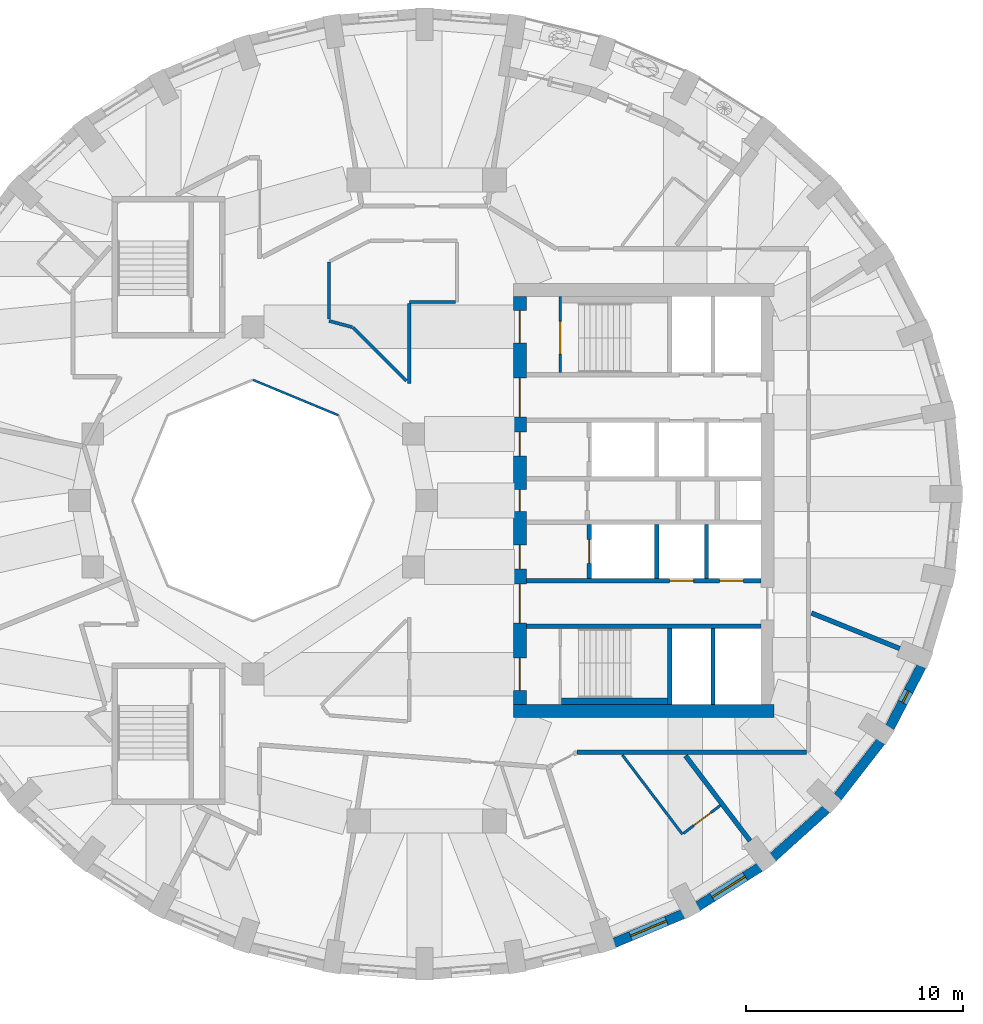
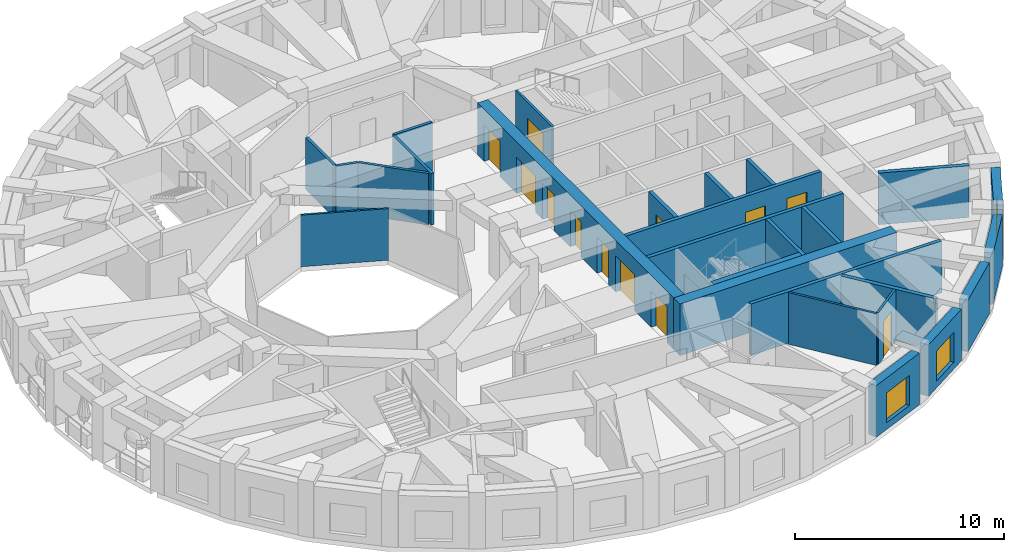
# One storey, part 5 of 12: 27 walls, 12 doors, 3 windows, 15 openings.
"""IFC4 building model written with IfcOpenShell, lengths in metres."""

from ifc_helpers import new_model, si_unit, direction, frame, frame_2d, origin, place, context, subcontext, project, spatial, rectangle, extrude, material, layer, layer_set, type_object, element, fill, save


model = new_model("IFC4")

# Units and contexts
model_context = context("Model", 3, precision=1e-05, world=origin(), true_north=direction((0.0, 1.0)))
body_context = subcontext(model_context, "Body", "Model", "MODEL_VIEW")
ifc_project = project(units=[si_unit("LENGTHUNIT", "METRE"), si_unit("AREAUNIT", "SQUARE_METRE"), si_unit("VOLUMEUNIT", "CUBIC_METRE"), si_unit("PLANEANGLEUNIT", "RADIAN"), si_unit("MASSUNIT", "GRAM", prefix="KILO")], contexts=[model_context])

# Site, building, storey
site_placement = place(None, origin())
site = spatial("IfcSite", under=ifc_project, at=site_placement, CompositionType="ELEMENT")
building_placement = place(site_placement, origin())
building = spatial("IfcBuilding", under=site, at=building_placement, Name="Taillehof Tower", CompositionType="ELEMENT")
storey_placement = place(building_placement, frame((0.0, 0.0, 233.300048828125)))
storey = spatial("IfcBuildingStorey", under=building, at=storey_placement, Name="L66", CompositionType="ELEMENT", Elevation=233.300048828125)

# Wall
ifc_material_1 = material(Name="Fire-resisting glass in steel frame", Category="steel")
ifc_layer_1 = layer(ifc_material_1, 0.10009765625)
ifc_layer_set_1 = layer_set([ifc_layer_1], Name="Atrium fire-resisting screen EI 60 100")
wall_type_1 = type_object("IfcWallType", Name="Atrium fire-resisting screen EI 60 100", PredefinedType="PARTITIONING", material=ifc_layer_set_1)
wall_1_placement = place(storey_placement, frame((-8.0, 5.55419921875, 0.0), z_axis=(0.0, 0.0, 1.0), x_axis=(0.923860025149, -0.382730523909, 0.0)))
element("IfcWall", 1, at=wall_1_placement, inside=storey, type_object=wall_type_1, Name="Atrium screen", PredefinedType="PARTITIONING", context=body_context, shape_type="SweptSolid", body=[
    extrude(rectangle(XDim=4.2509765625, YDim=0.10009765625, at=frame_2d((2.12548828125, 0.0))), origin(), (0.0, 0.0, 1.0), 3.02001953125),
])

# Wall, opening, window
ifc_material_2 = material(Name="Brick masonry", Category="masonry")
ifc_layer_2 = layer(ifc_material_2, 0.449951171875)
ifc_layer_set_2 = layer_set([ifc_layer_2], Name="Brick infill wall 450")
wall_type_2 = type_object("IfcWallType", Name="Brick infill wall 450", PredefinedType="SOLIDWALL", material=ifc_layer_set_2)
wall_2_placement = place(storey_placement, frame((8.640869140625, -20.394775390625, 0.0), z_axis=(0.0, 0.0, 1.0), x_axis=(0.922049934692, 0.3870709469, 0.0)))
wall_2 = element("IfcWall", 2, at=wall_2_placement, inside=storey, type_object=wall_type_2, Name="Brick wall L66 bay 30", PredefinedType="SOLIDWALL", context=body_context, shape_type="SweptSolid", body=[
    extrude(rectangle(XDim=3.443115234375, YDim=0.449951171875, at=frame_2d((1.7216796875, 0.0))), origin(), (0.0, 0.0, 1.0), 3.02001953125),
])
opening_1_placement = place(wall_2_placement, frame((0.82177734375, 0.0, 0.39990234375)))
opening_1 = element("IfcOpeningElement", 3, at=opening_1_placement, cuts=wall_2, Name="Opening W4", PredefinedType="OPENING", context=body_context, shape_type="SweptSolid", body=[
    extrude(rectangle(XDim=1.800048828125, YDim=1.75, at=frame_2d((0.89990234375, 0.875))), frame((0.0, 0.23486328125, 0.0), z_axis=(0.0, -1.0, 0.0), x_axis=(1.0, 0.0, 0.0)), (0.0, 0.0, 1.0), 0.469970703125),
])
ifc_material_3 = material(Name="Aluminium window frame with clear double glazing", Category="aluminium")
window_type_1 = type_object("IfcWindowType", Name="Deep-set window 1800x1750", PartitioningType="SINGLE_PANEL", PredefinedType="WINDOW", material=ifc_material_3)
window_1_placement = place(opening_1_placement, origin())
window_1 = element("IfcWindow", 4, at=window_1_placement, inside=storey, type_object=window_type_1, Name="W4", OverallHeight=1.75, OverallWidth=1.800048828125, PartitioningType="SINGLE_PANEL", PredefinedType="WINDOW", context=body_context, shape_type="SweptSolid", body=[
    extrude(rectangle(XDim=1.800048828125, YDim=1.75, at=frame_2d((0.89990234375, 0.875))), frame((0.0, 0.034912109375, 0.0), z_axis=(0.0, -1.0, 0.0), x_axis=(1.0, 0.0, 0.0)), (0.0, 0.0, 1.0), 0.06005859375),
])
fill(opening_1, window_1)

wall_3_placement = place(storey_placement, frame((12.489990234375, -18.7109375, 0.0), z_axis=(0.0, 0.0, 1.0), x_axis=(0.845929139811, 0.53329531258, 0.0)))
wall_3 = element("IfcWall", 5, at=wall_3_placement, inside=storey, type_object=wall_type_2, Name="Brick wall L66 bay 31", PredefinedType="SOLIDWALL", context=body_context, shape_type="SweptSolid", body=[
    extrude(rectangle(XDim=3.384521484375, YDim=0.449951171875, at=frame_2d((1.6923828125, 0.0))), origin(), (0.0, 0.0, 1.0), 3.02001953125),
])
opening_2_placement = place(wall_3_placement, frame((0.792236328125, 0.0, 0.39990234375)))
opening_2 = element("IfcOpeningElement", 6, at=opening_2_placement, cuts=wall_3, Name="Opening W4", PredefinedType="OPENING", context=body_context, shape_type="SweptSolid", body=[
    extrude(rectangle(XDim=1.800048828125, YDim=1.75, at=frame_2d((0.89990234375, 0.875))), frame((0.0, 0.23486328125, 0.0), z_axis=(0.0, -1.0, 0.0), x_axis=(1.0, 0.0, 0.0)), (0.0, 0.0, 1.0), 0.469970703125),
])
window_2_placement = place(opening_2_placement, origin())
window_2 = element("IfcWindow", 7, at=window_2_placement, inside=storey, type_object=window_type_1, Name="W4", OverallHeight=1.75, OverallWidth=1.800048828125, PartitioningType="SINGLE_PANEL", PredefinedType="WINDOW", context=body_context, shape_type="SweptSolid", body=[
    extrude(rectangle(XDim=1.800048828125, YDim=1.75, at=frame_2d((0.89990234375, 0.875))), frame((0.0, 0.034912109375, 0.0), z_axis=(0.0, -1.0, 0.0), x_axis=(1.0, 0.0, 0.0)), (0.0, 0.0, 1.0), 0.06005859375),
])
fill(opening_2, window_2)

# Walls
wall_4_placement = place(storey_placement, frame((15.959228515625, -16.447509765625, 0.0), z_axis=(0.0, 0.0, 1.0), x_axis=(0.743166014219, 0.669107073128, 0.0)))
element("IfcWall", 8, at=wall_4_placement, inside=storey, type_object=wall_type_2, Name="Brick wall L66 bay 32", PredefinedType="SOLIDWALL", context=body_context, shape_type="SweptSolid", body=[
    extrude(rectangle(XDim=3.31640625, YDim=0.449951171875, at=frame_2d((1.658203125, 0.0))), origin(), (0.0, 0.0, 1.0), 3.02001953125),
])
wall_5_placement = place(storey_placement, frame((18.941650390625, -13.671875, 0.0), z_axis=(0.0, 0.0, 1.0), x_axis=(0.613898970825, 0.789384604372, 0.0)))
element("IfcWall", 9, at=wall_5_placement, inside=storey, type_object=wall_type_2, Name="Brick wall L66 bay 33", PredefinedType="SOLIDWALL", context=body_context, shape_type="SweptSolid", body=[
    extrude(rectangle(XDim=3.2470703125, YDim=0.449951171875, at=frame_2d((1.62353515625, 0.0))), origin(), (0.0, 0.0, 1.0), 3.02001953125),
])

# Wall, opening, window
wall_6_placement = place(storey_placement, frame((21.344970703125, -10.46826171875, 0.0), z_axis=(0.0, 0.0, 1.0), x_axis=(0.459921155255, 0.887959757505, 0.0)))
wall_6 = element("IfcWall", 10, at=wall_6_placement, inside=storey, type_object=wall_type_2, Name="Brick wall L66 bay 34", PredefinedType="SOLIDWALL", context=body_context, shape_type="SweptSolid", body=[
    extrude(rectangle(XDim=3.185546875, YDim=0.449951171875, at=frame_2d((1.5927734375, 0.0))), origin(), (0.0, 0.0, 1.0), 3.02001953125),
])
opening_3_placement = place(wall_6_placement, frame((1.292724609375, 0.0, 0.39990234375)))
opening_3 = element("IfcOpeningElement", 11, at=opening_3_placement, cuts=wall_6, Name="Opening W6", PredefinedType="OPENING", context=body_context, shape_type="SweptSolid", body=[
    extrude(rectangle(XDim=0.60009765625, YDim=1.75, at=frame_2d((0.300048828125, 0.875))), frame((0.0, 0.23486328125, 0.0), z_axis=(0.0, -1.0, 0.0), x_axis=(1.0, 0.0, 0.0)), (0.0, 0.0, 1.0), 0.469970703125),
])
ifc_material_4 = material(Name="Aluminium window frame with clear double glazing", Category="aluminium")
window_type_2 = type_object("IfcWindowType", Name="Slot window 600x1750", PartitioningType="SINGLE_PANEL", PredefinedType="WINDOW", material=ifc_material_4)
window_3_placement = place(opening_3_placement, origin())
window_3 = element("IfcWindow", 12, at=window_3_placement, inside=storey, type_object=window_type_2, Name="W6", OverallHeight=1.75, OverallWidth=0.60009765625, PartitioningType="SINGLE_PANEL", PredefinedType="WINDOW", context=body_context, shape_type="SweptSolid", body=[
    extrude(rectangle(XDim=0.60009765625, YDim=1.75, at=frame_2d((0.300048828125, 0.875))), frame((0.0, 0.034912109375, 0.0), z_axis=(0.0, -1.0, 0.0), x_axis=(1.0, 0.0, 0.0)), (0.0, 0.0, 1.0), 0.06005859375),
])
fill(opening_3, window_3)

# Walls
ifc_material_5 = material(Name="Gypsum board on steel studs, two layers each side", Category="steel")
ifc_layer_3 = layer(ifc_material_5, 0.199951171875)
ifc_layer_set_3 = layer_set([ifc_layer_3], Name="Compartment wall corridor 200")
wall_type_3 = type_object("IfcWallType", Name="Compartment wall corridor 200", PredefinedType="PARTITIONING", material=ifc_layer_set_3)
wall_7_placement = place(storey_placement, frame((17.5, -11.60009765625, 0.0), z_axis=(0.0, 0.0, 1.0), x_axis=(-1.0, 0.0, 0.0)))
element("IfcWall", 13, at=wall_7_placement, inside=storey, type_object=wall_type_3, Name="Compartment wall", PredefinedType="PARTITIONING", context=body_context, shape_type="SweptSolid", body=[
    extrude(rectangle(XDim=10.561767578125, YDim=0.199951171875, at=frame_2d((5.28076171875, 0.0))), origin(), (0.0, 0.0, 1.0), 3.02001953125),
])
ifc_material_6 = material(Name="Gypsum board on double steel studs with mineral wool", Category="steel")
ifc_layer_4 = layer(ifc_material_6, 0.219970703125)
ifc_layer_set_4 = layer_set([ifc_layer_4], Name="Compartment wall guest room 220")
wall_type_4 = type_object("IfcWallType", Name="Compartment wall guest room 220", PredefinedType="PARTITIONING", material=ifc_layer_set_4)
wall_8_placement = place(storey_placement, frame((14.906005859375, -15.687255859375, 0.0), z_axis=(0.0, 0.0, 1.0), x_axis=(-0.604078206052, 0.796925041, 0.0)))
element("IfcWall", 14, at=wall_8_placement, inside=storey, type_object=wall_type_4, Name="Compartment wall", PredefinedType="PARTITIONING", context=body_context, shape_type="SweptSolid", body=[
    extrude(rectangle(XDim=4.92333984375, YDim=0.219970703125, at=frame_2d((2.461669921875, 0.0))), origin(), (0.0, 0.0, 1.0), 3.02001953125),
])
wall_9_placement = place(storey_placement, frame((21.803955078125, -6.824462890625, 0.0), z_axis=(0.0, 0.0, 1.0), x_axis=(-0.927528978592, 0.373751245981, 0.0)))
element("IfcWall", 15, at=wall_9_placement, inside=storey, type_object=wall_type_4, Name="Compartment wall", PredefinedType="PARTITIONING", context=body_context, shape_type="SweptSolid", body=[
    extrude(rectangle(XDim=4.38427734375, YDim=0.219970703125, at=frame_2d((2.192138671875, 0.0))), origin(), (0.0, 0.0, 1.0), 3.02001953125),
])
ifc_material_7 = material(Name="Calcium silicate masonry", Category="masonry")
ifc_layer_5 = layer(ifc_material_7, 0.300048828125)
ifc_layer_set_5 = layer_set([ifc_layer_5], Name="Compartment wall lining calcium silicate 300")
wall_type_5 = type_object("IfcWallType", Name="Compartment wall lining calcium silicate 300", PredefinedType="PARTITIONING", material=ifc_layer_set_5)
wall_10_placement = place(storey_placement, frame((6.219970703125, -9.25, 0.0), z_axis=(0.0, 0.0, 1.0), x_axis=(1.0, 0.0, 0.0)))
element("IfcWall", 16, at=wall_10_placement, inside=storey, type_object=wall_type_5, Name="Compartment wall FW", PredefinedType="PARTITIONING", context=body_context, shape_type="SweptSolid", body=[
    extrude(rectangle(XDim=4.880126953125, YDim=0.300048828125, at=frame_2d((2.43994140625, 0.0))), origin(), (0.0, 0.0, 1.0), 3.02001953125),
])
ifc_material_8 = material(Name="Gypsum board on steel studs, two layers each side", Category="steel")
ifc_layer_6 = layer(ifc_material_8, 0.14990234375)
ifc_layer_set_6 = layer_set([ifc_layer_6], Name="Compartment wall service room 150")
wall_type_6 = type_object("IfcWallType", Name="Compartment wall service room 150", PredefinedType="PARTITIONING", material=ifc_layer_set_6)
wall_11_placement = place(storey_placement, frame((1.31982421875, 9.14990234375, 0.0), z_axis=(0.0, 0.0, 1.0), x_axis=(-1.0, 0.0, 0.0)))
element("IfcWall", 17, at=wall_11_placement, inside=storey, type_object=wall_type_6, Name="Compartment wall", PredefinedType="PARTITIONING", context=body_context, shape_type="SweptSolid", body=[
    extrude(rectangle(XDim=2.119873046875, YDim=0.14990234375, at=frame_2d((1.06005859375, 0.0))), origin(), (0.0, 0.0, 1.0), 3.02001953125),
])
wall_12_placement = place(storey_placement, frame((-0.800048828125, 9.06982421875, 0.0), z_axis=(0.0, 0.0, 1.0), x_axis=(0.0, -1.0, 0.0)))
element("IfcWall", 18, at=wall_12_placement, inside=storey, type_object=wall_type_6, Name="Compartment wall", PredefinedType="PARTITIONING", context=body_context, shape_type="SweptSolid", body=[
    extrude(rectangle(XDim=3.683349609375, YDim=0.14990234375, at=frame_2d((1.841796875, 0.0))), origin(), (0.0, 0.0, 1.0), 3.02001953125),
])
wall_13_placement = place(storey_placement, frame((-0.927490234375, 5.513916015625, 0.0), z_axis=(0.0, 0.0, 1.0), x_axis=(-0.707106781187, 0.707106781187, 0.0)))
element("IfcWall", 19, at=wall_13_placement, inside=storey, type_object=wall_type_6, Name="Compartment wall", PredefinedType="PARTITIONING", context=body_context, shape_type="SweptSolid", body=[
    extrude(rectangle(XDim=3.48681640625, YDim=0.14990234375, at=frame_2d((1.743408203125, 0.0))), origin(), (0.0, 0.0, 1.0), 3.02001953125),
])
wall_14_placement = place(storey_placement, frame((-3.431640625, 7.98974609375, 0.0), z_axis=(0.0, 0.0, 1.0), x_axis=(-0.965900750832, 0.258912609855, 0.0)))
element("IfcWall", 20, at=wall_14_placement, inside=storey, type_object=wall_type_6, Name="Compartment wall", PredefinedType="PARTITIONING", context=body_context, shape_type="SweptSolid", body=[
    extrude(rectangle(XDim=1.10595703125, YDim=0.14990234375, at=frame_2d((0.552978515625, 0.0))), origin(), (0.0, 0.0, 1.0), 3.02001953125),
])
wall_15_placement = place(storey_placement, frame((-4.5, 8.356201171875, 0.0), z_axis=(0.0, 0.0, 1.0), x_axis=(0.0, 1.0, 0.0)))
element("IfcWall", 21, at=wall_15_placement, inside=storey, type_object=wall_type_6, Name="Compartment wall", PredefinedType="PARTITIONING", context=body_context, shape_type="SweptSolid", body=[
    extrude(rectangle(XDim=2.645263671875, YDim=0.14990234375, at=frame_2d((1.32275390625, 0.0))), origin(), (0.0, 0.0, 1.0), 3.02001953125),
])

# Wall, openings, doors
ifc_material_9 = material(Name="Concrete C80/95", Category="concrete")
ifc_layer_7 = layer(ifc_material_9, 0.60009765625)
ifc_layer_set_7 = layer_set([ifc_layer_7], Name="Core wall C80/95 600")
wall_type_7 = type_object("IfcWallType", Name="Core wall C80/95 600", PredefinedType="SHEAR", material=ifc_layer_set_7)
wall_16_placement = place(storey_placement, frame((4.300048828125, -9.39990234375, 0.0), z_axis=(0.0, 0.0, 1.0), x_axis=(0.0, 1.0, 0.0)))
wall_16 = element("IfcWall", 22, at=wall_16_placement, inside=storey, type_object=wall_type_7, Name="Core wall CW01", PredefinedType="SHEAR", context=body_context, shape_type="SweptSolid", body=[
    extrude(rectangle(XDim=18.7998046875, YDim=0.60009765625, at=frame_2d((9.39990234375, 0.0))), origin(), (0.0, 0.0, 1.0), 3.02001953125),
])
opening_4_placement = place(wall_16_placement, frame((0.64990234375, 0.0, 0.0)))
opening_4 = element("IfcOpeningElement", 23, at=opening_4_placement, cuts=wall_16, Name="Opening D6601", PredefinedType="OPENING", context=body_context, shape_type="SweptSolid", body=[
    extrude(rectangle(XDim=1.5, YDim=2.10009765625, at=frame_2d((0.75, 1.050048828125))), frame((0.0, 0.31005859375, 0.0), z_axis=(0.0, -1.0, 0.0), x_axis=(1.0, 0.0, 0.0)), (0.0, 0.0, 1.0), 0.6201171875),
])
opening_5_placement = place(wall_16_placement, frame((3.75, 0.0, 0.0)))
opening_5 = element("IfcOpeningElement", 24, at=opening_5_placement, cuts=wall_16, Name="Opening D6602", PredefinedType="OPENING", context=body_context, shape_type="SweptSolid", body=[
    extrude(rectangle(XDim=1.800048828125, YDim=2.10009765625, at=frame_2d((0.89990234375, 1.050048828125))), frame((0.0, 0.31005859375, 0.0), z_axis=(0.0, -1.0, 0.0), x_axis=(1.0, 0.0, 0.0)), (0.0, 0.0, 1.0), 0.6201171875),
])
opening_6_placement = place(wall_16_placement, frame((6.25, 0.0, 0.0)))
opening_6 = element("IfcOpeningElement", 25, at=opening_6_placement, cuts=wall_16, Name="Opening D6603", PredefinedType="OPENING", context=body_context, shape_type="SweptSolid", body=[
    extrude(rectangle(XDim=1.10009765625, YDim=2.10009765625, at=frame_2d((0.550048828125, 1.050048828125))), frame((0.0, 0.31005859375, 0.0), z_axis=(0.0, -1.0, 0.0), x_axis=(1.0, 0.0, 0.0)), (0.0, 0.0, 1.0), 0.6201171875),
])
opening_7_placement = place(wall_16_placement, frame((8.89990234375, 0.0, 0.0)))
opening_7 = element("IfcOpeningElement", 26, at=opening_7_placement, cuts=wall_16, Name="Opening D6604", PredefinedType="OPENING", context=body_context, shape_type="SweptSolid", body=[
    extrude(rectangle(XDim=1.0, YDim=2.10009765625, at=frame_2d((0.5, 1.050048828125))), frame((0.0, 0.31005859375, 0.0), z_axis=(0.0, -1.0, 0.0), x_axis=(1.0, 0.0, 0.0)), (0.0, 0.0, 1.0), 0.6201171875),
])
opening_8_placement = place(wall_16_placement, frame((11.449951171875, 0.0, 0.0)))
opening_8 = element("IfcOpeningElement", 27, at=opening_8_placement, cuts=wall_16, Name="Opening D6605", PredefinedType="OPENING", context=body_context, shape_type="SweptSolid", body=[
    extrude(rectangle(XDim=1.10009765625, YDim=2.10009765625, at=frame_2d((0.550048828125, 1.050048828125))), frame((0.0, 0.31005859375, 0.0), z_axis=(0.0, -1.0, 0.0), x_axis=(1.0, 0.0, 0.0)), (0.0, 0.0, 1.0), 0.6201171875),
])
opening_9_placement = place(wall_16_placement, frame((13.25, 0.0, 0.0)))
opening_9 = element("IfcOpeningElement", 28, at=opening_9_placement, cuts=wall_16, Name="Opening D6606", PredefinedType="OPENING", context=body_context, shape_type="SweptSolid", body=[
    extrude(rectangle(XDim=1.800048828125, YDim=2.10009765625, at=frame_2d((0.89990234375, 1.050048828125))), frame((0.0, 0.31005859375, 0.0), z_axis=(0.0, -1.0, 0.0), x_axis=(1.0, 0.0, 0.0)), (0.0, 0.0, 1.0), 0.6201171875),
])
opening_10_placement = place(wall_16_placement, frame((16.64990234375, 0.0, 0.0)))
opening_10 = element("IfcOpeningElement", 29, at=opening_10_placement, cuts=wall_16, Name="Opening D6607", PredefinedType="OPENING", context=body_context, shape_type="SweptSolid", body=[
    extrude(rectangle(XDim=1.5, YDim=2.10009765625, at=frame_2d((0.75, 1.050048828125))), frame((0.0, 0.31005859375, 0.0), z_axis=(0.0, -1.0, 0.0), x_axis=(1.0, 0.0, 0.0)), (0.0, 0.0, 1.0), 0.6201171875),
])
ifc_material_10 = material(Name="Steel-faced fire door", Category="steel")
door_type_1 = type_object("IfcDoorType", Name="Firefighting lobby door 1100x2100", OperationType="SINGLE_SWING_RIGHT", PredefinedType="DOOR", material=ifc_material_10)
door_1_placement = place(opening_6_placement, origin())
door_1 = element("IfcDoor", 30, at=door_1_placement, inside=storey, type_object=door_type_1, Name="Firefighting lobby door FFL-S", OperationType="SINGLE_SWING_RIGHT", OverallHeight=2.10009765625, OverallWidth=1.10009765625, PredefinedType="DOOR", context=body_context, shape_type="SweptSolid", body=[
    extrude(rectangle(XDim=1.10009765625, YDim=2.10009765625, at=frame_2d((0.550048828125, 1.050048828125))), frame((0.0, 0.02490234375, 0.0), z_axis=(0.0, -1.0, 0.0), x_axis=(1.0, 0.0, 0.0)), (0.0, 0.0, 1.0), 0.050048828125),
])
fill(opening_6, door_1)
door_2_placement = place(opening_8_placement, origin())
door_2 = element("IfcDoor", 31, at=door_2_placement, inside=storey, type_object=door_type_1, Name="Firefighting lobby door FFL-N", OperationType="SINGLE_SWING_LEFT", OverallHeight=2.10009765625, OverallWidth=1.10009765625, PredefinedType="DOOR", context=body_context, shape_type="SweptSolid", body=[
    extrude(rectangle(XDim=1.10009765625, YDim=2.10009765625, at=frame_2d((0.550048828125, 1.050048828125))), frame((0.0, 0.02490234375, 0.0), z_axis=(0.0, -1.0, 0.0), x_axis=(1.0, 0.0, 0.0)), (0.0, 0.0, 1.0), 0.050048828125),
])
fill(opening_8, door_2)
ifc_material_11 = material(Name="Steel-faced fire door", Category="steel")
door_type_2 = type_object("IfcDoorType", Name="Lift lobby door 1800x2100", OperationType="DOUBLE_DOOR_SINGLE_SWING", PredefinedType="DOOR", material=ifc_material_11)
door_3_placement = place(opening_5_placement, origin())
door_3 = element("IfcDoor", 32, at=door_3_placement, inside=storey, type_object=door_type_2, Name="Lift lobby door LL-S", OperationType="DOUBLE_DOOR_SINGLE_SWING", OverallHeight=2.10009765625, OverallWidth=1.800048828125, PredefinedType="DOOR", context=body_context, shape_type="SweptSolid", body=[
    extrude(rectangle(XDim=1.800048828125, YDim=2.10009765625, at=frame_2d((0.89990234375, 1.050048828125))), frame((0.0, 0.02490234375, 0.0), z_axis=(0.0, -1.0, 0.0), x_axis=(1.0, 0.0, 0.0)), (0.0, 0.0, 1.0), 0.050048828125),
])
fill(opening_5, door_3)
door_4_placement = place(opening_9_placement, origin())
door_4 = element("IfcDoor", 33, at=door_4_placement, inside=storey, type_object=door_type_2, Name="Lift lobby door LL-N", OperationType="DOUBLE_DOOR_SINGLE_SWING", OverallHeight=2.10009765625, OverallWidth=1.800048828125, PredefinedType="DOOR", context=body_context, shape_type="SweptSolid", body=[
    extrude(rectangle(XDim=1.800048828125, YDim=2.10009765625, at=frame_2d((0.89990234375, 1.050048828125))), frame((0.0, 0.02490234375, 0.0), z_axis=(0.0, -1.0, 0.0), x_axis=(1.0, 0.0, 0.0)), (0.0, 0.0, 1.0), 0.050048828125),
])
fill(opening_9, door_4)
ifc_material_12 = material(Name="Steel-faced fire door", Category="steel")
door_type_3 = type_object("IfcDoorType", Name="Service door 1000x2100", OperationType="SINGLE_SWING_RIGHT", PredefinedType="DOOR", material=ifc_material_12)
door_5_placement = place(opening_7_placement, origin())
door_5 = element("IfcDoor", 34, at=door_5_placement, inside=storey, type_object=door_type_3, Name="Service door SV", OperationType="SINGLE_SWING_LEFT", OverallHeight=2.10009765625, OverallWidth=1.0, PredefinedType="DOOR", context=body_context, shape_type="SweptSolid", body=[
    extrude(rectangle(XDim=1.0, YDim=2.10009765625, at=frame_2d((0.5, 1.050048828125))), frame((0.0, 0.02490234375, 0.0), z_axis=(0.0, -1.0, 0.0), x_axis=(1.0, 0.0, 0.0)), (0.0, 0.0, 1.0), 0.050048828125),
])
fill(opening_7, door_5)
ifc_material_13 = material(Name="Steel-faced fire door", Category="steel")
door_type_4 = type_object("IfcDoorType", Name="Stair door 1500x2100", OperationType="DOUBLE_DOOR_SINGLE_SWING", PredefinedType="DOOR", material=ifc_material_13)
door_6_placement = place(opening_4_placement, origin())
door_6 = element("IfcDoor", 35, at=door_6_placement, inside=storey, type_object=door_type_4, Name="Stair door S2", OperationType="DOUBLE_DOOR_SINGLE_SWING", OverallHeight=2.10009765625, OverallWidth=1.5, PredefinedType="DOOR", context=body_context, shape_type="SweptSolid", body=[
    extrude(rectangle(XDim=1.5, YDim=2.10009765625, at=frame_2d((0.75, 1.050048828125))), frame((0.0, 0.02490234375, 0.0), z_axis=(0.0, -1.0, 0.0), x_axis=(1.0, 0.0, 0.0)), (0.0, 0.0, 1.0), 0.050048828125),
])
fill(opening_4, door_6)
door_7_placement = place(opening_10_placement, origin())
door_7 = element("IfcDoor", 36, at=door_7_placement, inside=storey, type_object=door_type_4, Name="Stair door S1", OperationType="DOUBLE_DOOR_SINGLE_SWING", OverallHeight=2.10009765625, OverallWidth=1.5, PredefinedType="DOOR", context=body_context, shape_type="SweptSolid", body=[
    extrude(rectangle(XDim=1.5, YDim=2.10009765625, at=frame_2d((0.75, 1.050048828125))), frame((0.0, 0.02490234375, 0.0), z_axis=(0.0, -1.0, 0.0), x_axis=(1.0, 0.0, 0.0)), (0.0, 0.0, 1.0), 0.050048828125),
])
fill(opening_10, door_7)

# Walls
wall_17_placement = place(storey_placement, frame((4.0, -9.699951171875, 0.0), z_axis=(0.0, 0.0, 1.0), x_axis=(1.0, 0.0, 0.0)))
element("IfcWall", 37, at=wall_17_placement, inside=storey, type_object=wall_type_7, Name="Core wall CW07", PredefinedType="SHEAR", context=body_context, shape_type="SweptSolid", body=[
    extrude(rectangle(XDim=12.0, YDim=0.60009765625, at=frame_2d((6.0, 0.0))), origin(), (0.0, 0.0, 1.0), 3.02001953125),
])
ifc_material_14 = material(Name="Gypsum board on steel studs, moisture resistant", Category="steel")
ifc_layer_8 = layer(ifc_material_14, 0.1201171875)
ifc_layer_set_8 = layer_set([ifc_layer_8], Name="En-suite wall 120")
wall_type_8 = type_object("IfcWallType", Name="En-suite wall 120", PredefinedType="PARTITIONING", material=ifc_layer_set_8)
wall_18_placement = place(storey_placement, frame((9.02197265625, -11.73193359375, 0.0), z_axis=(0.0, 0.0, 1.0), x_axis=(0.604079451594, -0.796924096863, 0.0)))
element("IfcWall", 38, at=wall_18_placement, inside=storey, type_object=wall_type_8, Name="En-suite wall", PredefinedType="PARTITIONING", context=body_context, shape_type="SweptSolid", body=[
    extrude(rectangle(XDim=4.577880859375, YDim=0.1201171875, at=frame_2d((2.2890625, 0.0))), origin(), (0.0, 0.0, 1.0), 3.02001953125),
])

# Wall, opening, door
wall_19_placement = place(storey_placement, frame((11.8349609375, -15.34423828125, 0.0), z_axis=(0.0, 0.0, 1.0), x_axis=(0.79693666797, 0.604062866964, 0.0)))
wall_19 = element("IfcWall", 39, at=wall_19_placement, inside=storey, type_object=wall_type_8, Name="En-suite wall", PredefinedType="PARTITIONING", context=body_context, shape_type="SweptSolid", body=[
    extrude(rectangle(XDim=2.13037109375, YDim=0.1201171875, at=frame_2d((1.065185546875, 0.0))), origin(), (0.0, 0.0, 1.0), 3.02001953125),
])
opening_11_placement = place(wall_19_placement, frame((0.59033203125, 0.0, 0.0)))
opening_11 = element("IfcOpeningElement", 40, at=opening_11_placement, cuts=wall_19, Name="Opening D6653", PredefinedType="OPENING", context=body_context, shape_type="SweptSolid", body=[
    extrude(rectangle(XDim=1.0, YDim=2.10009765625, at=frame_2d((0.5, 1.050048828125))), frame((0.0, 0.070068359375, 0.0), z_axis=(0.0, -1.0, 0.0), x_axis=(1.0, 0.0, 0.0)), (0.0, 0.0, 1.0), 0.14013671875),
])
ifc_material_15 = material(Name="Timber door leaf in steel frame", Category="steel")
door_type_5 = type_object("IfcDoorType", Name="Accessible en-suite door 1000 x 2100", OperationType="SINGLE_SWING_LEFT", PredefinedType="DOOR", material=ifc_material_15)
door_8_placement = place(opening_11_placement, origin())
door_8 = element("IfcDoor", 41, at=door_8_placement, inside=storey, type_object=door_type_5, Name="D6653", OperationType="SINGLE_SWING_LEFT", OverallHeight=2.10009765625, OverallWidth=1.0, PredefinedType="DOOR", context=body_context, shape_type="SweptSolid", body=[
    extrude(rectangle(XDim=1.0, YDim=2.10009765625, at=frame_2d((0.5, 1.050048828125))), frame((0.0, 0.02490234375, 0.0), z_axis=(0.0, -1.0, 0.0), x_axis=(1.0, 0.0, 0.0)), (0.0, 0.0, 1.0), 0.050048828125),
])
fill(opening_11, door_8)

# Wall, openings, doors
ifc_material_16 = material(Name="Concrete C50/60", Category="concrete")
ifc_layer_9 = layer(ifc_material_16, 0.199951171875)
ifc_layer_set_9 = layer_set([ifc_layer_9], Name="Shaft wall C50/60 200")
wall_type_9 = type_object("IfcWallType", Name="Shaft wall C50/60 200", PredefinedType="SHEAR", material=ifc_layer_set_9)
wall_20_placement = place(storey_placement, frame((4.60009765625, -3.699951171875, 0.0), z_axis=(0.0, 0.0, 1.0), x_axis=(1.0, 0.0, 0.0)))
wall_20 = element("IfcWall", 42, at=wall_20_placement, inside=storey, type_object=wall_type_9, Name="Shaft wall SW", PredefinedType="SHEAR", context=body_context, shape_type="SweptSolid", body=[
    extrude(rectangle(XDim=10.7998046875, YDim=0.199951171875, at=frame_2d((5.39990234375, 0.0))), origin(), (0.0, 0.0, 1.0), 3.02001953125),
])
opening_12_placement = place(wall_20_placement, frame((6.60009765625, 0.0, 0.0)))
opening_12 = element("IfcOpeningElement", 43, at=opening_12_placement, cuts=wall_20, Name="Opening LD1", PredefinedType="OPENING", context=body_context, shape_type="SweptSolid", body=[
    extrude(rectangle(XDim=1.10009765625, YDim=2.10009765625, at=frame_2d((0.550048828125, 1.050048828125))), frame((0.0, 0.10986328125, 0.0), z_axis=(0.0, -1.0, 0.0), x_axis=(1.0, 0.0, 0.0)), (0.0, 0.0, 1.0), 0.219970703125),
])
opening_13_placement = place(wall_20_placement, frame((8.89990234375, 0.0, 0.0)))
opening_13 = element("IfcOpeningElement", 44, at=opening_13_placement, cuts=wall_20, Name="Opening LD1", PredefinedType="OPENING", context=body_context, shape_type="SweptSolid", body=[
    extrude(rectangle(XDim=1.10009765625, YDim=2.10009765625, at=frame_2d((0.550048828125, 1.050048828125))), frame((0.0, 0.10986328125, 0.0), z_axis=(0.0, -1.0, 0.0), x_axis=(1.0, 0.0, 0.0)), (0.0, 0.0, 1.0), 0.219970703125),
])
ifc_material_17 = material(Name="Stainless steel", Category="steel")
door_type_6 = type_object("IfcDoorType", Name="Lift landing door LD1 1100x2100", OperationType="DOUBLE_DOOR_SLIDING", PredefinedType="DOOR", material=ifc_material_17)
door_9_placement = place(opening_12_placement, origin())
door_9 = element("IfcDoor", 45, at=door_9_placement, inside=storey, type_object=door_type_6, Name="Landing door HR5", OperationType="DOUBLE_DOOR_SLIDING", OverallHeight=2.10009765625, OverallWidth=1.10009765625, PredefinedType="DOOR", context=body_context, shape_type="SweptSolid", body=[
    extrude(rectangle(XDim=1.10009765625, YDim=2.10009765625, at=frame_2d((0.550048828125, 1.050048828125))), frame((0.0, 0.02490234375, 0.0), z_axis=(0.0, -1.0, 0.0), x_axis=(1.0, 0.0, 0.0)), (0.0, 0.0, 1.0), 0.050048828125),
])
fill(opening_12, door_9)
door_10_placement = place(opening_13_placement, origin())
door_10 = element("IfcDoor", 46, at=door_10_placement, inside=storey, type_object=door_type_6, Name="Landing door HR6", OperationType="DOUBLE_DOOR_SLIDING", OverallHeight=2.10009765625, OverallWidth=1.10009765625, PredefinedType="DOOR", context=body_context, shape_type="SweptSolid", body=[
    extrude(rectangle(XDim=1.10009765625, YDim=2.10009765625, at=frame_2d((0.550048828125, 1.050048828125))), frame((0.0, 0.02490234375, 0.0), z_axis=(0.0, -1.0, 0.0), x_axis=(1.0, 0.0, 0.0)), (0.0, 0.0, 1.0), 0.050048828125),
])
fill(opening_13, door_10)

# Walls
wall_21_placement = place(storey_placement, frame((4.60009765625, -5.800048828125, 0.0), z_axis=(0.0, 0.0, 1.0), x_axis=(1.0, 0.0, 0.0)))
element("IfcWall", 47, at=wall_21_placement, inside=storey, type_object=wall_type_9, Name="Shaft wall SW", PredefinedType="SHEAR", context=body_context, shape_type="SweptSolid", body=[
    extrude(rectangle(XDim=10.7998046875, YDim=0.199951171875, at=frame_2d((5.39990234375, 0.0))), origin(), (0.0, 0.0, 1.0), 3.02001953125),
])
for number, where, z_axis, x_axis, name in (
    (48, (11.199951171875, -9.39990234375, 0.0), (0.0, 0.0, 1.0), (0.0, 1.0, 0.0), "Shaft wall SW"),
    (49, (13.199951171875, -9.39990234375, 0.0), (0.0, 0.0, 1.0), (0.0, 1.0, 0.0), "Shaft wall SW"),
):
    element("IfcWall", number, at=place(storey_placement, frame(where, z_axis=z_axis, x_axis=x_axis)), inside=storey, type_object=wall_type_9, Name=name, PredefinedType="SHEAR", context=body_context, shape_type="SweptSolid", body=[
        extrude(rectangle(XDim=3.5, YDim=0.199951171875, at=frame_2d((1.75, 0.0))), origin(), (0.0, 0.0, 1.0), 3.02001953125),
    ])

# Wall, opening, door
wall_22_placement = place(storey_placement, frame((7.5, -3.60009765625, 0.0), z_axis=(0.0, 0.0, 1.0), x_axis=(0.0, 1.0, 0.0)))
wall_22 = element("IfcWall", 50, at=wall_22_placement, inside=storey, type_object=wall_type_9, Name="Shaft wall SW", PredefinedType="SHEAR", context=body_context, shape_type="SweptSolid", body=[
    extrude(rectangle(XDim=2.5, YDim=0.199951171875, at=frame_2d((1.25, 0.0))), origin(), (0.0, 0.0, 1.0), 3.02001953125),
])
opening_14_placement = place(wall_22_placement, frame((0.699951171875, 0.0, 0.0)))
opening_14 = element("IfcOpeningElement", 51, at=opening_14_placement, cuts=wall_22, Name="Opening LD1", PredefinedType="OPENING", context=body_context, shape_type="SweptSolid", body=[
    extrude(rectangle(XDim=1.10009765625, YDim=2.10009765625, at=frame_2d((0.550048828125, 1.050048828125))), frame((0.0, 0.10986328125, 0.0), z_axis=(0.0, -1.0, 0.0), x_axis=(1.0, 0.0, 0.0)), (0.0, 0.0, 1.0), 0.219970703125),
])
door_11_placement = place(opening_14_placement, origin())
door_11 = element("IfcDoor", 52, at=door_11_placement, inside=storey, type_object=door_type_6, Name="Landing door FF2", OperationType="DOUBLE_DOOR_SLIDING", OverallHeight=2.10009765625, OverallWidth=1.10009765625, PredefinedType="DOOR", context=body_context, shape_type="SweptSolid", body=[
    extrude(rectangle(XDim=1.10009765625, YDim=2.10009765625, at=frame_2d((0.550048828125, 1.050048828125))), frame((0.0, 0.02490234375, 0.0), z_axis=(0.0, -1.0, 0.0), x_axis=(1.0, 0.0, 0.0)), (0.0, 0.0, 1.0), 0.050048828125),
])
fill(opening_14, door_11)

# Walls
for number, where, z_axis, x_axis, name in (
    (53, (10.60009765625, -3.60009765625, 0.0), (0.0, 0.0, 1.0), (0.0, 1.0, 0.0), "Shaft wall SW"),
    (54, (12.89990234375, -3.60009765625, 0.0), (0.0, 0.0, 1.0), (0.0, 1.0, 0.0), "Shaft wall SW"),
):
    element("IfcWall", number, at=place(storey_placement, frame(where, z_axis=z_axis, x_axis=x_axis)), inside=storey, type_object=wall_type_9, Name=name, PredefinedType="SHEAR", context=body_context, shape_type="SweptSolid", body=[
        extrude(rectangle(XDim=2.5, YDim=0.199951171875, at=frame_2d((1.25, 0.0))), origin(), (0.0, 0.0, 1.0), 3.02001953125),
    ])

# Wall, opening, door
ifc_material_18 = material(Name="Concrete C50/60", Category="concrete")
ifc_layer_10 = layer(ifc_material_18, 0.1201171875)
ifc_layer_set_10 = layer_set([ifc_layer_10], Name="Stair lobby wall C50/60 120")
wall_type_10 = type_object("IfcWallType", Name="Stair lobby wall C50/60 120", PredefinedType="SHEAR", material=ifc_layer_set_10)
wall_23_placement = place(storey_placement, frame((6.159912109375, 5.89990234375, 0.0), z_axis=(0.0, 0.0, 1.0), x_axis=(0.0, 1.0, 0.0)))
wall_23 = element("IfcWall", 55, at=wall_23_placement, inside=storey, type_object=wall_type_10, Name="Compartment wall SW", PredefinedType="SHEAR", context=body_context, shape_type="SweptSolid", body=[
    extrude(rectangle(XDim=3.5, YDim=0.1201171875, at=frame_2d((1.75, 0.0))), origin(), (0.0, 0.0, 1.0), 3.02001953125),
])
opening_15_placement = place(wall_23_placement, frame((0.85009765625, 0.0, 0.0)))
opening_15 = element("IfcOpeningElement", 56, at=opening_15_placement, cuts=wall_23, Name="Opening D6610", PredefinedType="OPENING", context=body_context, shape_type="SweptSolid", body=[
    extrude(rectangle(XDim=1.5, YDim=2.10009765625, at=frame_2d((0.75, 1.050048828125))), frame((0.0, 0.070068359375, 0.0), z_axis=(0.0, -1.0, 0.0), x_axis=(1.0, 0.0, 0.0)), (0.0, 0.0, 1.0), 0.14013671875),
])
door_12_placement = place(opening_15_placement, origin())
door_12 = element("IfcDoor", 57, at=door_12_placement, inside=storey, type_object=door_type_4, Name="Stair lobby door S1", OperationType="DOUBLE_DOOR_SINGLE_SWING", OverallHeight=2.10009765625, OverallWidth=1.5, PredefinedType="DOOR", context=body_context, shape_type="SweptSolid", body=[
    extrude(rectangle(XDim=1.5, YDim=2.10009765625, at=frame_2d((0.75, 1.050048828125))), frame((0.0, 0.02490234375, 0.0), z_axis=(0.0, -1.0, 0.0), x_axis=(1.0, 0.0, 0.0)), (0.0, 0.0, 1.0), 0.050048828125),
])
fill(opening_15, door_12)

save(model, "model.ifc")
